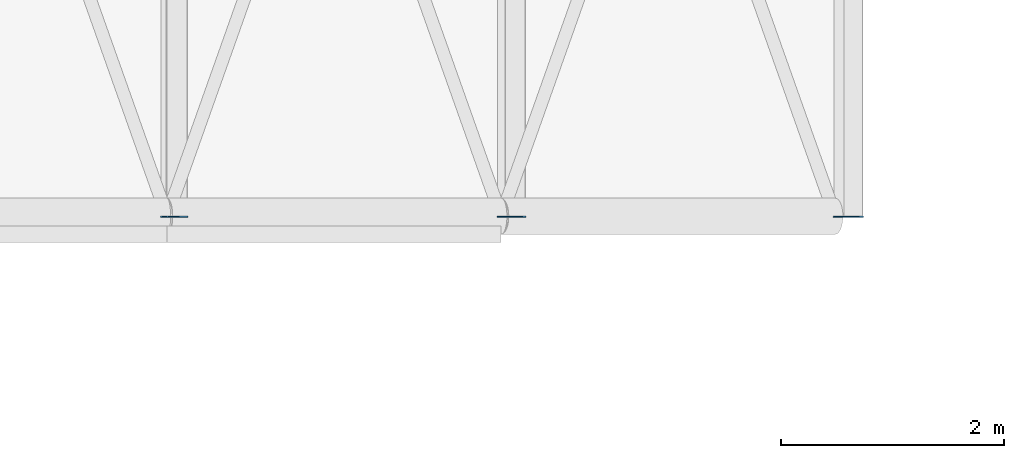
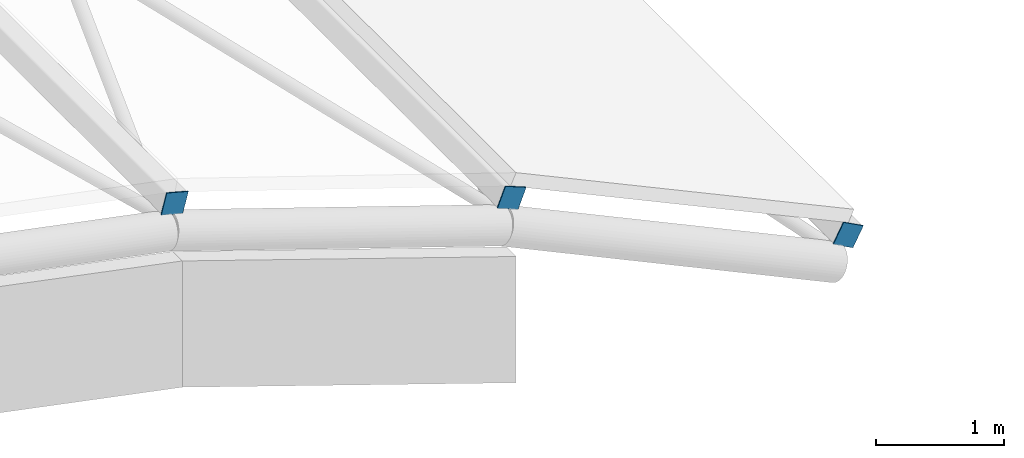
# One storey, part 38 of 54: 3 discrete accessories.
"""IFC4 building model written with IfcOpenShell, lengths in metres."""

from ifc_helpers import new_model, si_unit, direction, frame, origin, origin_2d, place, context, subcontext, project, spatial, rectangle, extrude, material, type_object, element, save


model = new_model("IFC4")

# Units and contexts
model_context = context("Model", 3, precision=1e-05, world=origin(), true_north=direction((0.0, 1.0)))
body_context = subcontext(model_context, "Body", "Model", "MODEL_VIEW")
ifc_project = project(units=[si_unit("LENGTHUNIT", "METRE"), si_unit("AREAUNIT", "SQUARE_METRE"), si_unit("VOLUMEUNIT", "CUBIC_METRE"), si_unit("PLANEANGLEUNIT", "RADIAN"), si_unit("MASSUNIT", "GRAM", prefix="KILO")], contexts=[model_context])

# Site, building, storey
site_placement = place(None, origin())
site = spatial("IfcSite", under=ifc_project, at=site_placement, CompositionType="ELEMENT")
building_placement = place(site_placement, origin())
building = spatial("IfcBuilding", under=site, at=building_placement, Name="Baradari Gate Terminus", CompositionType="ELEMENT")
storey_placement = place(building_placement, frame((0.0, 0.0, 15.89990234375)))
storey = spatial("IfcBuildingStorey", under=building, at=storey_placement, Name="L03", CompositionType="ELEMENT", Elevation=15.89990234375)

# Discrete accessories
ifc_material = material(Name="Steel S355", Category="steel")
discrete_accessory_type = type_object("IfcDiscreteAccessoryType", Name="Hollow section end plate EP-1 200x200x10", PredefinedType="ANCHORPLATE", material=ifc_material)
for number, where, z_axis, x_axis, name in (
    (1, (159.064208984375, 81.5400390625, 2.56396484375), (0.0, 1.0, 0.0), (-0.966499648767, 0.0, 0.256667935149), "End plate EP-1 at the start of TR/L03/VP1-PU08"),
    (2, (162.092529296875, 81.5400390625, 1.554443359375), (0.0, 1.0, 0.0), (-0.928965199535, 0.0, 0.370167067759), "End plate EP-1 at the start of TR/L03/VP1-PU09"),
    (3, (165.1171875, 81.5400390625, 0.14306640625), (0.0, 1.0, 0.0), (-0.883026855482, 0.0, 0.469322461106), "End plate EP-1 at the start of TR/L03/VP1-PU10"),
):
    element("IfcDiscreteAccessory", number, at=place(storey_placement, frame(where, z_axis=z_axis, x_axis=x_axis)), inside=storey, type_object=discrete_accessory_type, Name=name, PredefinedType="ANCHORPLATE", context=body_context, shape_type="SweptSolid", body=[
        extrude(rectangle(XDim=0.199951171875, YDim=0.199951171875, at=origin_2d()), origin(), (0.0, 0.0, 1.0), 0.010009765625),
    ])

save(model, "model.ifc")
